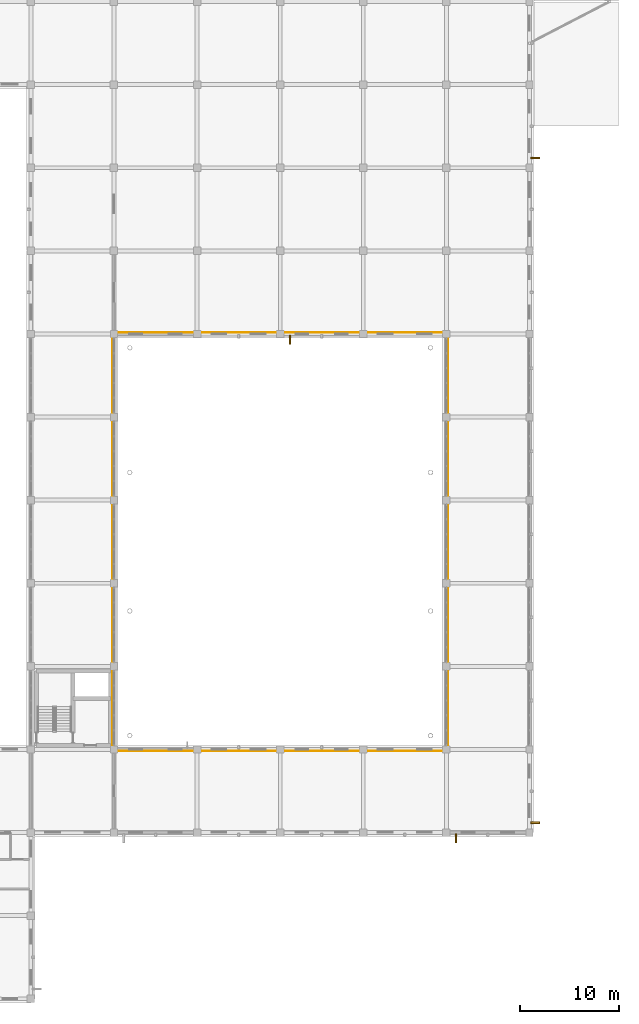
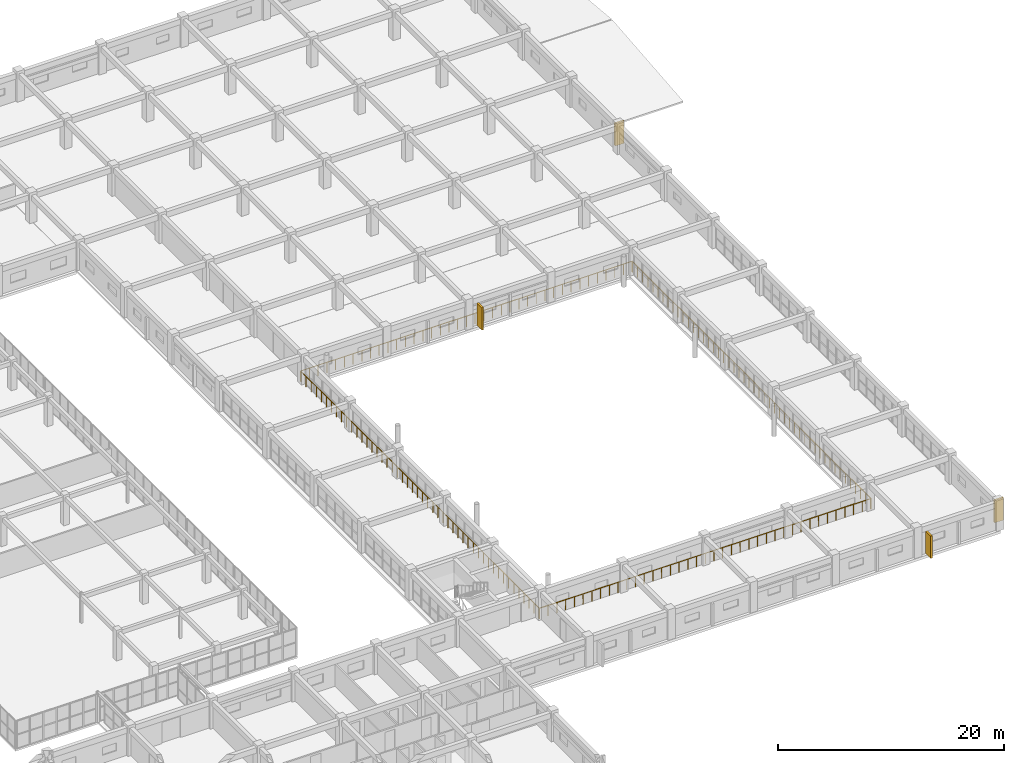
# One storey, part 199 of 200: 4 railings, 4 shading devices.
"""IFC4 building model written with IfcOpenShell, lengths in metres."""

import ifcopenshell
import ifcopenshell.guid

model = None  # the IFC model being written
_history = None  # IfcOwnerHistory: only IFC2X3 demands one
_inside = {}  # id of a spatial element -> (the spatial element, [elements in it])
_under = {}  # id of a project, library or spatial element -> (it, [spatial elements below it])
_declared = {}  # id of a project -> (the project, [libraries it declares])
_typed = {}  # id of a type object -> (the type object, [elements of that type])
_made_of = {}  # id of a material, layer set ... -> (it, [elements and type objects made of it])


def new_model(schema):
    """Start an empty IFC model of exactly this schema.

    Asked for "IFC4X3", IfcOpenShell would pick the latest addendum, in which some entities
    have other attributes; the version numbers below select the first issue.
    IFC2X3 requires an IfcOwnerHistory on every rooted entity: one is made here for all.
    """
    global model, _history
    if schema == "IFC4X3":
        model = ifcopenshell.file(schema_version=(4, 3, 0, 0))
    else:
        model = ifcopenshell.file(schema=schema)
    _inside.clear()
    _under.clear()
    _declared.clear()
    _typed.clear()
    _made_of.clear()
    _history = None
    if model.schema == "IFC2X3":
        org = make("IfcOrganization", Name="unknown")
        user = make(
            "IfcPersonAndOrganization",
            ThePerson=make("IfcPerson", FamilyName="unknown"),
            TheOrganization=org,
        )
        app = make(
            "IfcApplication",
            ApplicationDeveloper=org,
            Version="unknown",
            ApplicationFullName="unknown",
            ApplicationIdentifier="unknown",
        )
        _history = make(
            "IfcOwnerHistory",
            OwningUser=user,
            OwningApplication=app,
            ChangeAction="ADDED",
            CreationDate=0,
        )
    return model


def make(cls, **values):
    """One entity of the class cls with the attributes given. An attribute that is None is left unset."""
    return model.create_entity(
        cls, **{name: value for name, value in values.items() if value is not None}
    )


def rooted(cls, **values):
    """An entity with a GlobalId (a new one), such as an element, a storey or a relation."""
    return make(cls, GlobalId=ifcopenshell.guid.new(), OwnerHistory=_history, **values)


def si_unit(unit_type, name, prefix=None):
    """IfcSIUnit, for example si_unit("LENGTHUNIT", "METRE", prefix="MILLI")."""
    return make("IfcSIUnit", UnitType=unit_type, Prefix=prefix, Name=name)


def assignment(units):
    """IfcUnitAssignment: the units of a project."""
    return None if units is None else make("IfcUnitAssignment", Units=units)


def point(xyz):
    """IfcCartesianPoint."""
    return None if xyz is None else make("IfcCartesianPoint", Coordinates=xyz)


def direction(xyz):
    """IfcDirection."""
    return None if xyz is None else make("IfcDirection", DirectionRatios=xyz)


def frame(location, z_axis=None, x_axis=None):
    """IfcAxis2Placement3D, a coordinate frame: its origin and axes. An axis left out is left unset."""
    return make(
        "IfcAxis2Placement3D",
        Location=point(location),
        Axis=direction(z_axis),
        RefDirection=direction(x_axis),
    )


def frame_2d(location, x_axis=None):
    """IfcAxis2Placement2D, a coordinate frame in the plane: its origin and x axis."""
    return make(
        "IfcAxis2Placement2D", Location=point(location), RefDirection=direction(x_axis)
    )


def origin():
    """The frame at (0, 0, 0) with its axes left unset."""
    return frame((0.0, 0.0, 0.0))


def origin_2d():
    """The frame at (0, 0) in the plane with its x axis left unset."""
    return frame_2d((0.0, 0.0))


def place(relative_to, where):
    """IfcLocalPlacement: puts the frame where relative to a parent placement (None: the world)."""
    return make(
        "IfcLocalPlacement", PlacementRelTo=relative_to, RelativePlacement=where
    )


def context(
    kind, dimensions, precision=None, world=None, true_north=None, identifier=None
):
    """IfcGeometricRepresentationContext, for example the 3D "Model" context."""
    return make(
        "IfcGeometricRepresentationContext",
        ContextIdentifier=identifier,
        ContextType=kind,
        CoordinateSpaceDimension=dimensions,
        Precision=precision,
        WorldCoordinateSystem=world,
        TrueNorth=true_north,
    )


def subcontext(parent, identifier, kind, view, scale=None):
    """IfcGeometricRepresentationSubContext, for example "Body" below "Model"."""
    return make(
        "IfcGeometricRepresentationSubContext",
        ContextIdentifier=identifier,
        ContextType=kind,
        ParentContext=parent,
        TargetScale=scale,
        TargetView=view,
    )


def project(units=None, contexts=None):
    """IfcProject with its units and contexts."""
    return rooted(
        "IfcProject",
        Name="project",
        RepresentationContexts=contexts,
        UnitsInContext=assignment(units),
    )


def spatial(cls, under=None, at=None, **own):
    """A site, building, storey or space (cls), placed at a placement, below another one or the project."""
    s = rooted(cls, ObjectPlacement=at, **own)
    if under is not None:
        _under.setdefault(under.id(), (under, []))[1].append(s)
    return s


def profile(cls, at=None, kind="AREA", **sizes):
    """A parametric profile (cls). Its sizes go by their IFC names, for example OverallWidth=200.0."""
    return make(cls, ProfileType=kind, Position=at, **sizes)


def rectangle(**sizes):
    """IfcRectangleProfileDef."""
    return profile("IfcRectangleProfileDef", **sizes)


def circle(**sizes):
    """IfcCircleProfileDef."""
    return profile("IfcCircleProfileDef", **sizes)


def extrude(swept, where, along, depth):
    """IfcExtrudedAreaSolid: the profile swept, set in the frame where, extruded along a direction by depth."""
    return make(
        "IfcExtrudedAreaSolid",
        SweptArea=swept,
        Position=where,
        ExtrudedDirection=direction(along),
        Depth=depth,
    )


def shape(context_of_items, identifier, shape_type, items):
    """IfcShapeRepresentation: the items that make up one representation, for example the "Body"."""
    return make(
        "IfcShapeRepresentation",
        ContextOfItems=context_of_items,
        RepresentationIdentifier=identifier,
        RepresentationType=shape_type,
        Items=items,
    )


def material(Name=None, Category=None):
    """IfcMaterial."""
    return make("IfcMaterial", Name=Name, Category=Category)


def made_of(thing, what):
    """Note that an element or type object is made of a material, layer set ...; save() writes the relation."""
    if what is not None:
        _made_of.setdefault(what.id(), (what, []))[1].append(thing)
    return thing


def type_object(cls, material=None, **own):
    """A type object (cls), such as IfcWallType, which elements share."""
    return made_of(rooted(cls, **own), material)


def element(
    cls,
    number,
    at=None,
    inside=None,
    cuts=None,
    type_object=None,
    material=None,
    context=None,
    identifier="Body",
    shape_type=None,
    held_by="IfcProductDefinitionShape",
    body=None,
    shapes=None,
    **own,
):
    """One element of the class cls, such as IfcWall. Its Tag is "e" and its number.

    at: its placement. inside: the storey or other place that contains it. cuts: it is an
    opening in that element (IfcRelVoidsElement). A single representation is given by context,
    identifier, shape_type and body (its items); several are given by shapes. held_by: the class
    of the entity that holds the representations. save() writes the other relations.
    """
    e = rooted(cls, Tag="e%d" % number, ObjectPlacement=at, **own)
    if body is not None:
        shapes = [shape(context, identifier, shape_type, body)]
    if shapes is not None:
        e.Representation = make(held_by, Representations=shapes)
    if inside is not None:
        _inside.setdefault(inside.id(), (inside, []))[1].append(e)
    if cuts is not None:
        rooted(
            "IfcRelVoidsElement", RelatingBuildingElement=cuts, RelatedOpeningElement=e
        )
    if type_object is not None:
        _typed.setdefault(type_object.id(), (type_object, []))[1].append(e)
    return made_of(e, material)


def aggregate(whole, parts):
    """IfcRelAggregates: a whole, such as a stair, and the parts it consists of."""
    return rooted("IfcRelAggregates", RelatingObject=whole, RelatedObjects=parts)


def save(model, path):
    """Write the relations noted so far, then the file.

    IfcRelAggregates (storeys below a building ...), IfcRelContainedInSpatialStructure (elements
    in a storey), IfcRelDefinesByType, IfcRelAssociatesMaterial and IfcRelDeclares: one each for
    every whole, place, type object, material and project.
    """
    for whole, parts in _under.values():
        aggregate(whole, parts)
    for where, things in _inside.values():
        rooted(
            "IfcRelContainedInSpatialStructure",
            RelatedElements=things,
            RelatingStructure=where,
        )
    for kind, things in _typed.values():
        rooted("IfcRelDefinesByType", RelatedObjects=things, RelatingType=kind)
    for what, things in _made_of.values():
        rooted("IfcRelAssociatesMaterial", RelatedObjects=things, RelatingMaterial=what)
    for by, libraries in _declared.values():
        rooted("IfcRelDeclares", RelatingContext=by, RelatedDefinitions=libraries)
    model.write(path)


model = new_model("IFC4")

# Units and contexts
model_context = context("Model", 3, precision=1e-05, world=origin(), true_north=direction((0.0, 1.0)))
body_context = subcontext(model_context, "Body", "Model", "MODEL_VIEW")
ifc_project = project(units=[si_unit("LENGTHUNIT", "METRE"), si_unit("AREAUNIT", "SQUARE_METRE"), si_unit("VOLUMEUNIT", "CUBIC_METRE"), si_unit("PLANEANGLEUNIT", "RADIAN"), si_unit("MASSUNIT", "GRAM", prefix="KILO")], contexts=[model_context])

# Site, building, storey
site_placement = place(None, origin())
site = spatial("IfcSite", under=ifc_project, at=site_placement, CompositionType="ELEMENT")
building_placement = place(site_placement, origin())
building = spatial("IfcBuilding", under=site, at=building_placement, Name="Trelvath General Hospital", CompositionType="ELEMENT")
storey_placement = place(building_placement, frame((0.0, 0.0, 4.800048828125)))
storey = spatial("IfcBuildingStorey", under=building, at=storey_placement, Name="L01", CompositionType="ELEMENT", Elevation=4.800048828125)

# Shading devices
ifc_material_1 = material(Name="Precast concrete C40/50", Category="concrete")
shading_device_type = type_object("IfcShadingDeviceType", Name="BriseSoleil PrecastFin900", PredefinedType="JALOUSIE", material=ifc_material_1)
for number, where, z_axis, x_axis, name in (
    (1, (160.582763671875, 66.610107421875, 0.0), (0.0, 0.0, 1.0), (0.0, -1.0, 0.0), "Solar Brise-Soleil Screen L01-30"),
    (2, (177.3828125, 16.2099609375, 0.0), (0.0, 0.0, 1.0), (0.0, -1.0, 0.0), "Solar Brise-Soleil Screen L01-31"),
    (3, (185.389892578125, 17.78271484375, 0.0), (0.0, 0.0, 1.0), (1.0, 0.0, 0.0), "Solar Brise-Soleil Screen L01-32"),
    (4, (185.389892578125, 84.98291015625, 0.0), (0.0, 0.0, 1.0), (1.0, 0.0, 0.0), "Solar Brise-Soleil Screen L01-33"),
):
    element("IfcShadingDevice", number, at=place(storey_placement, frame(where, z_axis=z_axis, x_axis=x_axis)), inside=storey, type_object=shading_device_type, Name=name, PredefinedType="JALOUSIE", context=body_context, shape_type="SweptSolid", body=[
        extrude(rectangle(XDim=0.89990234375, YDim=0.179931640625, at=origin_2d()), origin(), (0.0, 0.0, 1.0), 2.419921875),
    ])

# Railings
ifc_material_2 = material(Name="Architectural painted steel", Category="steel")
railing_type = type_object("IfcRailingType", Name="Guardrail Terrace1150", PredefinedType="GUARDRAIL", material=ifc_material_2)
railing_1_placement = place(storey_placement, frame((142.64990234375, 25.050048828125, 0.0)))
element("IfcRailing", 5, at=railing_1_placement, inside=storey, type_object=railing_type, Name="Hall Void Guard S L01 403", PredefinedType="GUARDRAIL", context=body_context, shape_type="SweptSolid", body=[
    extrude(circle(Radius=0.02392578125, at=origin_2d()), frame((0.0, 0.0, 1.1259765625), z_axis=(1.0, 0.0, 0.0), x_axis=(0.0, 1.0, 0.0)), (0.0, 0.0, 1.0), 33.900146484375),
    extrude(circle(Radius=0.02099609375, at=origin_2d()), origin(), (0.0, 0.0, 1.0), 1.099853515625),
    extrude(circle(Radius=0.02099609375, at=origin_2d()), frame((0.89208984375, 0.0, 0.0)), (0.0, 0.0, 1.0), 1.099853515625),
    extrude(circle(Radius=0.02099609375, at=origin_2d()), frame((1.7841796875, 0.0, 0.0)), (0.0, 0.0, 1.0), 1.099853515625),
    extrude(circle(Radius=0.02099609375, at=origin_2d()), frame((2.67626953125, 0.0, 0.0)), (0.0, 0.0, 1.0), 1.099853515625),
    extrude(circle(Radius=0.02099609375, at=origin_2d()), frame((3.568359375, 0.0, 0.0)), (0.0, 0.0, 1.0), 1.099853515625),
    extrude(circle(Radius=0.02099609375, at=origin_2d()), frame((4.46044921875, 0.0, 0.0)), (0.0, 0.0, 1.0), 1.099853515625),
    extrude(circle(Radius=0.02099609375, at=origin_2d()), frame((5.3525390625, 0.0, 0.0)), (0.0, 0.0, 1.0), 1.099853515625),
    extrude(circle(Radius=0.02099609375, at=origin_2d()), frame((6.244873046875, 0.0, 0.0)), (0.0, 0.0, 1.0), 1.099853515625),
    extrude(circle(Radius=0.02099609375, at=origin_2d()), frame((7.136962890625, 0.0, 0.0)), (0.0, 0.0, 1.0), 1.099853515625),
    extrude(circle(Radius=0.02099609375, at=origin_2d()), frame((8.029052734375, 0.0, 0.0)), (0.0, 0.0, 1.0), 1.099853515625),
    extrude(circle(Radius=0.02099609375, at=origin_2d()), frame((8.921142578125, 0.0, 0.0)), (0.0, 0.0, 1.0), 1.099853515625),
    extrude(circle(Radius=0.02099609375, at=origin_2d()), frame((9.813232421875, 0.0, 0.0)), (0.0, 0.0, 1.0), 1.099853515625),
    extrude(circle(Radius=0.02099609375, at=origin_2d()), frame((10.705322265625, 0.0, 0.0)), (0.0, 0.0, 1.0), 1.099853515625),
    extrude(circle(Radius=0.02099609375, at=origin_2d()), frame((11.597412109375, 0.0, 0.0)), (0.0, 0.0, 1.0), 1.099853515625),
    extrude(circle(Radius=0.02099609375, at=origin_2d()), frame((12.489501953125, 0.0, 0.0)), (0.0, 0.0, 1.0), 1.099853515625),
    extrude(circle(Radius=0.02099609375, at=origin_2d()), frame((13.381591796875, 0.0, 0.0)), (0.0, 0.0, 1.0), 1.099853515625),
    extrude(circle(Radius=0.02099609375, at=origin_2d()), frame((14.273681640625, 0.0, 0.0)), (0.0, 0.0, 1.0), 1.099853515625),
    extrude(circle(Radius=0.02099609375, at=origin_2d()), frame((15.165771484375, 0.0, 0.0)), (0.0, 0.0, 1.0), 1.099853515625),
    extrude(circle(Radius=0.02099609375, at=origin_2d()), frame((16.057861328125, 0.0, 0.0)), (0.0, 0.0, 1.0), 1.099853515625),
    extrude(circle(Radius=0.02099609375, at=origin_2d()), frame((16.9501953125, 0.0, 0.0)), (0.0, 0.0, 1.0), 1.099853515625),
    extrude(circle(Radius=0.02099609375, at=origin_2d()), frame((17.84228515625, 0.0, 0.0)), (0.0, 0.0, 1.0), 1.099853515625),
    extrude(circle(Radius=0.02099609375, at=origin_2d()), frame((18.734375, 0.0, 0.0)), (0.0, 0.0, 1.0), 1.099853515625),
    extrude(circle(Radius=0.02099609375, at=origin_2d()), frame((19.62646484375, 0.0, 0.0)), (0.0, 0.0, 1.0), 1.099853515625),
    extrude(circle(Radius=0.02099609375, at=origin_2d()), frame((20.5185546875, 0.0, 0.0)), (0.0, 0.0, 1.0), 1.099853515625),
    extrude(circle(Radius=0.02099609375, at=origin_2d()), frame((21.41064453125, 0.0, 0.0)), (0.0, 0.0, 1.0), 1.099853515625),
    extrude(circle(Radius=0.02099609375, at=origin_2d()), frame((22.302734375, 0.0, 0.0)), (0.0, 0.0, 1.0), 1.099853515625),
    extrude(circle(Radius=0.02099609375, at=origin_2d()), frame((23.19482421875, 0.0, 0.0)), (0.0, 0.0, 1.0), 1.099853515625),
    extrude(circle(Radius=0.02099609375, at=origin_2d()), frame((24.0869140625, 0.0, 0.0)), (0.0, 0.0, 1.0), 1.099853515625),
    extrude(circle(Radius=0.02099609375, at=origin_2d()), frame((24.97900390625, 0.0, 0.0)), (0.0, 0.0, 1.0), 1.099853515625),
    extrude(circle(Radius=0.02099609375, at=origin_2d()), frame((25.87109375, 0.0, 0.0)), (0.0, 0.0, 1.0), 1.099853515625),
    extrude(circle(Radius=0.02099609375, at=origin_2d()), frame((26.76318359375, 0.0, 0.0)), (0.0, 0.0, 1.0), 1.099853515625),
    extrude(circle(Radius=0.02099609375, at=origin_2d()), frame((27.6552734375, 0.0, 0.0)), (0.0, 0.0, 1.0), 1.099853515625),
    extrude(circle(Radius=0.02099609375, at=origin_2d()), frame((28.547607421875, 0.0, 0.0)), (0.0, 0.0, 1.0), 1.099853515625),
    extrude(circle(Radius=0.02099609375, at=origin_2d()), frame((29.439697265625, 0.0, 0.0)), (0.0, 0.0, 1.0), 1.099853515625),
    extrude(circle(Radius=0.02099609375, at=origin_2d()), frame((30.331787109375, 0.0, 0.0)), (0.0, 0.0, 1.0), 1.099853515625),
    extrude(circle(Radius=0.02099609375, at=origin_2d()), frame((31.223876953125, 0.0, 0.0)), (0.0, 0.0, 1.0), 1.099853515625),
    extrude(circle(Radius=0.02099609375, at=origin_2d()), frame((32.115966796875, 0.0, 0.0)), (0.0, 0.0, 1.0), 1.099853515625),
    extrude(circle(Radius=0.02099609375, at=origin_2d()), frame((33.008056640625, 0.0, 0.0)), (0.0, 0.0, 1.0), 1.099853515625),
    extrude(circle(Radius=0.02099609375, at=origin_2d()), frame((33.900146484375, 0.0, 0.0)), (0.0, 0.0, 1.0), 1.099853515625),
])
railing_2_placement = place(storey_placement, frame((176.550048828125, 25.1201171875, 0.0)))
element("IfcRailing", 6, at=railing_2_placement, inside=storey, type_object=railing_type, Name="Hall Void Guard E L01 404", PredefinedType="GUARDRAIL", context=body_context, shape_type="SweptSolid", body=[
    extrude(circle(Radius=0.02392578125, at=origin_2d()), frame((0.0, 0.0, 1.1259765625), z_axis=(0.0, 1.0, 0.0), x_axis=(-1.0, 0.0, 0.0)), (0.0, 0.0, 1.0), 42.159912109375),
    extrude(circle(Radius=0.02099609375, at=origin_2d()), origin(), (0.0, 0.0, 1.0), 1.099853515625),
    extrude(circle(Radius=0.02099609375, at=origin_2d()), frame((0.0, 0.89697265625, 0.0)), (0.0, 0.0, 1.0), 1.099853515625),
    extrude(circle(Radius=0.02099609375, at=origin_2d()), frame((0.0, 1.7939453125, 0.0)), (0.0, 0.0, 1.0), 1.099853515625),
    extrude(circle(Radius=0.02099609375, at=origin_2d()), frame((0.0, 2.691162109375, 0.0)), (0.0, 0.0, 1.0), 1.099853515625),
    extrude(circle(Radius=0.02099609375, at=origin_2d()), frame((0.0, 3.588134765625, 0.0)), (0.0, 0.0, 1.0), 1.099853515625),
    extrude(circle(Radius=0.02099609375, at=origin_2d()), frame((0.0, 4.485107421875, 0.0)), (0.0, 0.0, 1.0), 1.099853515625),
    extrude(circle(Radius=0.02099609375, at=origin_2d()), frame((0.0, 5.382080078125, 0.0)), (0.0, 0.0, 1.0), 1.099853515625),
    extrude(circle(Radius=0.02099609375, at=origin_2d()), frame((0.0, 6.279052734375, 0.0)), (0.0, 0.0, 1.0), 1.099853515625),
    extrude(circle(Radius=0.02099609375, at=origin_2d()), frame((0.0, 7.17626953125, 0.0)), (0.0, 0.0, 1.0), 1.099853515625),
    extrude(circle(Radius=0.02099609375, at=origin_2d()), frame((0.0, 8.0732421875, 0.0)), (0.0, 0.0, 1.0), 1.099853515625),
    extrude(circle(Radius=0.02099609375, at=origin_2d()), frame((0.0, 8.97021484375, 0.0)), (0.0, 0.0, 1.0), 1.099853515625),
    extrude(circle(Radius=0.02099609375, at=origin_2d()), frame((0.0, 9.8671875, 0.0)), (0.0, 0.0, 1.0), 1.099853515625),
    extrude(circle(Radius=0.02099609375, at=origin_2d()), frame((0.0, 10.76416015625, 0.0)), (0.0, 0.0, 1.0), 1.099853515625),
    extrude(circle(Radius=0.02099609375, at=origin_2d()), frame((0.0, 11.6611328125, 0.0)), (0.0, 0.0, 1.0), 1.099853515625),
    extrude(circle(Radius=0.02099609375, at=origin_2d()), frame((0.0, 12.558349609375, 0.0)), (0.0, 0.0, 1.0), 1.099853515625),
    extrude(circle(Radius=0.02099609375, at=origin_2d()), frame((0.0, 13.455322265625, 0.0)), (0.0, 0.0, 1.0), 1.099853515625),
    extrude(circle(Radius=0.02099609375, at=origin_2d()), frame((0.0, 14.352294921875, 0.0)), (0.0, 0.0, 1.0), 1.099853515625),
    extrude(circle(Radius=0.02099609375, at=origin_2d()), frame((0.0, 15.249267578125, 0.0)), (0.0, 0.0, 1.0), 1.099853515625),
    extrude(circle(Radius=0.02099609375, at=origin_2d()), frame((0.0, 16.146240234375, 0.0)), (0.0, 0.0, 1.0), 1.099853515625),
    extrude(circle(Radius=0.02099609375, at=origin_2d()), frame((0.0, 17.04345703125, 0.0)), (0.0, 0.0, 1.0), 1.099853515625),
    extrude(circle(Radius=0.02099609375, at=origin_2d()), frame((0.0, 17.9404296875, 0.0)), (0.0, 0.0, 1.0), 1.099853515625),
    extrude(circle(Radius=0.02099609375, at=origin_2d()), frame((0.0, 18.83740234375, 0.0)), (0.0, 0.0, 1.0), 1.099853515625),
    extrude(circle(Radius=0.02099609375, at=origin_2d()), frame((0.0, 19.734375, 0.0)), (0.0, 0.0, 1.0), 1.099853515625),
    extrude(circle(Radius=0.02099609375, at=origin_2d()), frame((0.0, 20.63134765625, 0.0)), (0.0, 0.0, 1.0), 1.099853515625),
    extrude(circle(Radius=0.02099609375, at=origin_2d()), frame((0.0, 21.528564453125, 0.0)), (0.0, 0.0, 1.0), 1.099853515625),
    extrude(circle(Radius=0.02099609375, at=origin_2d()), frame((0.0, 22.425537109375, 0.0)), (0.0, 0.0, 1.0), 1.099853515625),
    extrude(circle(Radius=0.02099609375, at=origin_2d()), frame((0.0, 23.322509765625, 0.0)), (0.0, 0.0, 1.0), 1.099853515625),
    extrude(circle(Radius=0.02099609375, at=origin_2d()), frame((0.0, 24.219482421875, 0.0)), (0.0, 0.0, 1.0), 1.099853515625),
    extrude(circle(Radius=0.02099609375, at=origin_2d()), frame((0.0, 25.116455078125, 0.0)), (0.0, 0.0, 1.0), 1.099853515625),
    extrude(circle(Radius=0.02099609375, at=origin_2d()), frame((0.0, 26.013671875, 0.0)), (0.0, 0.0, 1.0), 1.099853515625),
    extrude(circle(Radius=0.02099609375, at=origin_2d()), frame((0.0, 26.91064453125, 0.0)), (0.0, 0.0, 1.0), 1.099853515625),
    extrude(circle(Radius=0.02099609375, at=origin_2d()), frame((0.0, 27.8076171875, 0.0)), (0.0, 0.0, 1.0), 1.099853515625),
    extrude(circle(Radius=0.02099609375, at=origin_2d()), frame((0.0, 28.70458984375, 0.0)), (0.0, 0.0, 1.0), 1.099853515625),
    extrude(circle(Radius=0.02099609375, at=origin_2d()), frame((0.0, 29.6015625, 0.0)), (0.0, 0.0, 1.0), 1.099853515625),
    extrude(circle(Radius=0.02099609375, at=origin_2d()), frame((0.0, 30.498779296875, 0.0)), (0.0, 0.0, 1.0), 1.099853515625),
    extrude(circle(Radius=0.02099609375, at=origin_2d()), frame((0.0, 31.395751953125, 0.0)), (0.0, 0.0, 1.0), 1.099853515625),
    extrude(circle(Radius=0.02099609375, at=origin_2d()), frame((0.0, 32.292724609375, 0.0)), (0.0, 0.0, 1.0), 1.099853515625),
    extrude(circle(Radius=0.02099609375, at=origin_2d()), frame((0.0, 33.189697265625, 0.0)), (0.0, 0.0, 1.0), 1.099853515625),
    extrude(circle(Radius=0.02099609375, at=origin_2d()), frame((0.0, 34.086669921875, 0.0)), (0.0, 0.0, 1.0), 1.099853515625),
    extrude(circle(Radius=0.02099609375, at=origin_2d()), frame((0.0, 34.983642578125, 0.0)), (0.0, 0.0, 1.0), 1.099853515625),
    extrude(circle(Radius=0.02099609375, at=origin_2d()), frame((0.0, 35.880859375, 0.0)), (0.0, 0.0, 1.0), 1.099853515625),
    extrude(circle(Radius=0.02099609375, at=origin_2d()), frame((0.0, 36.77783203125, 0.0)), (0.0, 0.0, 1.0), 1.099853515625),
    extrude(circle(Radius=0.02099609375, at=origin_2d()), frame((0.0, 37.6748046875, 0.0)), (0.0, 0.0, 1.0), 1.099853515625),
    extrude(circle(Radius=0.02099609375, at=origin_2d()), frame((0.0, 38.57177734375, 0.0)), (0.0, 0.0, 1.0), 1.099853515625),
    extrude(circle(Radius=0.02099609375, at=origin_2d()), frame((0.0, 39.46875, 0.0)), (0.0, 0.0, 1.0), 1.099853515625),
    extrude(circle(Radius=0.02099609375, at=origin_2d()), frame((0.0, 40.365966796875, 0.0)), (0.0, 0.0, 1.0), 1.099853515625),
    extrude(circle(Radius=0.02099609375, at=origin_2d()), frame((0.0, 41.262939453125, 0.0)), (0.0, 0.0, 1.0), 1.099853515625),
    extrude(circle(Radius=0.02099609375, at=origin_2d()), frame((0.0, 42.159912109375, 0.0)), (0.0, 0.0, 1.0), 1.099853515625),
])
railing_3_placement = place(storey_placement, frame((142.64990234375, 67.35009765625, 0.0)))
element("IfcRailing", 7, at=railing_3_placement, inside=storey, type_object=railing_type, Name="Hall Void Guard N L01 405", PredefinedType="GUARDRAIL", context=body_context, shape_type="SweptSolid", body=[
    extrude(circle(Radius=0.02392578125, at=origin_2d()), frame((0.0, 0.0, 1.1259765625), z_axis=(1.0, 0.0, 0.0), x_axis=(0.0, 1.0, 0.0)), (0.0, 0.0, 1.0), 33.900146484375),
    extrude(circle(Radius=0.02099609375, at=origin_2d()), origin(), (0.0, 0.0, 1.0), 1.099853515625),
    extrude(circle(Radius=0.02099609375, at=origin_2d()), frame((0.89208984375, 0.0, 0.0)), (0.0, 0.0, 1.0), 1.099853515625),
    extrude(circle(Radius=0.02099609375, at=origin_2d()), frame((1.7841796875, 0.0, 0.0)), (0.0, 0.0, 1.0), 1.099853515625),
    extrude(circle(Radius=0.02099609375, at=origin_2d()), frame((2.67626953125, 0.0, 0.0)), (0.0, 0.0, 1.0), 1.099853515625),
    extrude(circle(Radius=0.02099609375, at=origin_2d()), frame((3.568359375, 0.0, 0.0)), (0.0, 0.0, 1.0), 1.099853515625),
    extrude(circle(Radius=0.02099609375, at=origin_2d()), frame((4.46044921875, 0.0, 0.0)), (0.0, 0.0, 1.0), 1.099853515625),
    extrude(circle(Radius=0.02099609375, at=origin_2d()), frame((5.3525390625, 0.0, 0.0)), (0.0, 0.0, 1.0), 1.099853515625),
    extrude(circle(Radius=0.02099609375, at=origin_2d()), frame((6.244873046875, 0.0, 0.0)), (0.0, 0.0, 1.0), 1.099853515625),
    extrude(circle(Radius=0.02099609375, at=origin_2d()), frame((7.136962890625, 0.0, 0.0)), (0.0, 0.0, 1.0), 1.099853515625),
    extrude(circle(Radius=0.02099609375, at=origin_2d()), frame((8.029052734375, 0.0, 0.0)), (0.0, 0.0, 1.0), 1.099853515625),
    extrude(circle(Radius=0.02099609375, at=origin_2d()), frame((8.921142578125, 0.0, 0.0)), (0.0, 0.0, 1.0), 1.099853515625),
    extrude(circle(Radius=0.02099609375, at=origin_2d()), frame((9.813232421875, 0.0, 0.0)), (0.0, 0.0, 1.0), 1.099853515625),
    extrude(circle(Radius=0.02099609375, at=origin_2d()), frame((10.705322265625, 0.0, 0.0)), (0.0, 0.0, 1.0), 1.099853515625),
    extrude(circle(Radius=0.02099609375, at=origin_2d()), frame((11.597412109375, 0.0, 0.0)), (0.0, 0.0, 1.0), 1.099853515625),
    extrude(circle(Radius=0.02099609375, at=origin_2d()), frame((12.489501953125, 0.0, 0.0)), (0.0, 0.0, 1.0), 1.099853515625),
    extrude(circle(Radius=0.02099609375, at=origin_2d()), frame((13.381591796875, 0.0, 0.0)), (0.0, 0.0, 1.0), 1.099853515625),
    extrude(circle(Radius=0.02099609375, at=origin_2d()), frame((14.273681640625, 0.0, 0.0)), (0.0, 0.0, 1.0), 1.099853515625),
    extrude(circle(Radius=0.02099609375, at=origin_2d()), frame((15.165771484375, 0.0, 0.0)), (0.0, 0.0, 1.0), 1.099853515625),
    extrude(circle(Radius=0.02099609375, at=origin_2d()), frame((16.057861328125, 0.0, 0.0)), (0.0, 0.0, 1.0), 1.099853515625),
    extrude(circle(Radius=0.02099609375, at=origin_2d()), frame((16.9501953125, 0.0, 0.0)), (0.0, 0.0, 1.0), 1.099853515625),
    extrude(circle(Radius=0.02099609375, at=origin_2d()), frame((17.84228515625, 0.0, 0.0)), (0.0, 0.0, 1.0), 1.099853515625),
    extrude(circle(Radius=0.02099609375, at=origin_2d()), frame((18.734375, 0.0, 0.0)), (0.0, 0.0, 1.0), 1.099853515625),
    extrude(circle(Radius=0.02099609375, at=origin_2d()), frame((19.62646484375, 0.0, 0.0)), (0.0, 0.0, 1.0), 1.099853515625),
    extrude(circle(Radius=0.02099609375, at=origin_2d()), frame((20.5185546875, 0.0, 0.0)), (0.0, 0.0, 1.0), 1.099853515625),
    extrude(circle(Radius=0.02099609375, at=origin_2d()), frame((21.41064453125, 0.0, 0.0)), (0.0, 0.0, 1.0), 1.099853515625),
    extrude(circle(Radius=0.02099609375, at=origin_2d()), frame((22.302734375, 0.0, 0.0)), (0.0, 0.0, 1.0), 1.099853515625),
    extrude(circle(Radius=0.02099609375, at=origin_2d()), frame((23.19482421875, 0.0, 0.0)), (0.0, 0.0, 1.0), 1.099853515625),
    extrude(circle(Radius=0.02099609375, at=origin_2d()), frame((24.0869140625, 0.0, 0.0)), (0.0, 0.0, 1.0), 1.099853515625),
    extrude(circle(Radius=0.02099609375, at=origin_2d()), frame((24.97900390625, 0.0, 0.0)), (0.0, 0.0, 1.0), 1.099853515625),
    extrude(circle(Radius=0.02099609375, at=origin_2d()), frame((25.87109375, 0.0, 0.0)), (0.0, 0.0, 1.0), 1.099853515625),
    extrude(circle(Radius=0.02099609375, at=origin_2d()), frame((26.76318359375, 0.0, 0.0)), (0.0, 0.0, 1.0), 1.099853515625),
    extrude(circle(Radius=0.02099609375, at=origin_2d()), frame((27.6552734375, 0.0, 0.0)), (0.0, 0.0, 1.0), 1.099853515625),
    extrude(circle(Radius=0.02099609375, at=origin_2d()), frame((28.547607421875, 0.0, 0.0)), (0.0, 0.0, 1.0), 1.099853515625),
    extrude(circle(Radius=0.02099609375, at=origin_2d()), frame((29.439697265625, 0.0, 0.0)), (0.0, 0.0, 1.0), 1.099853515625),
    extrude(circle(Radius=0.02099609375, at=origin_2d()), frame((30.331787109375, 0.0, 0.0)), (0.0, 0.0, 1.0), 1.099853515625),
    extrude(circle(Radius=0.02099609375, at=origin_2d()), frame((31.223876953125, 0.0, 0.0)), (0.0, 0.0, 1.0), 1.099853515625),
    extrude(circle(Radius=0.02099609375, at=origin_2d()), frame((32.115966796875, 0.0, 0.0)), (0.0, 0.0, 1.0), 1.099853515625),
    extrude(circle(Radius=0.02099609375, at=origin_2d()), frame((33.008056640625, 0.0, 0.0)), (0.0, 0.0, 1.0), 1.099853515625),
    extrude(circle(Radius=0.02099609375, at=origin_2d()), frame((33.900146484375, 0.0, 0.0)), (0.0, 0.0, 1.0), 1.099853515625),
])
railing_4_placement = place(storey_placement, frame((142.64990234375, 25.1201171875, 0.0)))
element("IfcRailing", 8, at=railing_4_placement, inside=storey, type_object=railing_type, Name="Hall Void Guard W L01 406", PredefinedType="GUARDRAIL", context=body_context, shape_type="SweptSolid", body=[
    extrude(circle(Radius=0.02392578125, at=origin_2d()), frame((0.0, 0.0, 1.1259765625), z_axis=(0.0, 1.0, 0.0), x_axis=(-1.0, 0.0, 0.0)), (0.0, 0.0, 1.0), 42.159912109375),
    extrude(circle(Radius=0.02099609375, at=origin_2d()), origin(), (0.0, 0.0, 1.0), 1.099853515625),
    extrude(circle(Radius=0.02099609375, at=origin_2d()), frame((0.0, 0.89697265625, 0.0)), (0.0, 0.0, 1.0), 1.099853515625),
    extrude(circle(Radius=0.02099609375, at=origin_2d()), frame((0.0, 1.7939453125, 0.0)), (0.0, 0.0, 1.0), 1.099853515625),
    extrude(circle(Radius=0.02099609375, at=origin_2d()), frame((0.0, 2.691162109375, 0.0)), (0.0, 0.0, 1.0), 1.099853515625),
    extrude(circle(Radius=0.02099609375, at=origin_2d()), frame((0.0, 3.588134765625, 0.0)), (0.0, 0.0, 1.0), 1.099853515625),
    extrude(circle(Radius=0.02099609375, at=origin_2d()), frame((0.0, 4.485107421875, 0.0)), (0.0, 0.0, 1.0), 1.099853515625),
    extrude(circle(Radius=0.02099609375, at=origin_2d()), frame((0.0, 5.382080078125, 0.0)), (0.0, 0.0, 1.0), 1.099853515625),
    extrude(circle(Radius=0.02099609375, at=origin_2d()), frame((0.0, 6.279052734375, 0.0)), (0.0, 0.0, 1.0), 1.099853515625),
    extrude(circle(Radius=0.02099609375, at=origin_2d()), frame((0.0, 7.17626953125, 0.0)), (0.0, 0.0, 1.0), 1.099853515625),
    extrude(circle(Radius=0.02099609375, at=origin_2d()), frame((0.0, 8.0732421875, 0.0)), (0.0, 0.0, 1.0), 1.099853515625),
    extrude(circle(Radius=0.02099609375, at=origin_2d()), frame((0.0, 8.97021484375, 0.0)), (0.0, 0.0, 1.0), 1.099853515625),
    extrude(circle(Radius=0.02099609375, at=origin_2d()), frame((0.0, 9.8671875, 0.0)), (0.0, 0.0, 1.0), 1.099853515625),
    extrude(circle(Radius=0.02099609375, at=origin_2d()), frame((0.0, 10.76416015625, 0.0)), (0.0, 0.0, 1.0), 1.099853515625),
    extrude(circle(Radius=0.02099609375, at=origin_2d()), frame((0.0, 11.6611328125, 0.0)), (0.0, 0.0, 1.0), 1.099853515625),
    extrude(circle(Radius=0.02099609375, at=origin_2d()), frame((0.0, 12.558349609375, 0.0)), (0.0, 0.0, 1.0), 1.099853515625),
    extrude(circle(Radius=0.02099609375, at=origin_2d()), frame((0.0, 13.455322265625, 0.0)), (0.0, 0.0, 1.0), 1.099853515625),
    extrude(circle(Radius=0.02099609375, at=origin_2d()), frame((0.0, 14.352294921875, 0.0)), (0.0, 0.0, 1.0), 1.099853515625),
    extrude(circle(Radius=0.02099609375, at=origin_2d()), frame((0.0, 15.249267578125, 0.0)), (0.0, 0.0, 1.0), 1.099853515625),
    extrude(circle(Radius=0.02099609375, at=origin_2d()), frame((0.0, 16.146240234375, 0.0)), (0.0, 0.0, 1.0), 1.099853515625),
    extrude(circle(Radius=0.02099609375, at=origin_2d()), frame((0.0, 17.04345703125, 0.0)), (0.0, 0.0, 1.0), 1.099853515625),
    extrude(circle(Radius=0.02099609375, at=origin_2d()), frame((0.0, 17.9404296875, 0.0)), (0.0, 0.0, 1.0), 1.099853515625),
    extrude(circle(Radius=0.02099609375, at=origin_2d()), frame((0.0, 18.83740234375, 0.0)), (0.0, 0.0, 1.0), 1.099853515625),
    extrude(circle(Radius=0.02099609375, at=origin_2d()), frame((0.0, 19.734375, 0.0)), (0.0, 0.0, 1.0), 1.099853515625),
    extrude(circle(Radius=0.02099609375, at=origin_2d()), frame((0.0, 20.63134765625, 0.0)), (0.0, 0.0, 1.0), 1.099853515625),
    extrude(circle(Radius=0.02099609375, at=origin_2d()), frame((0.0, 21.528564453125, 0.0)), (0.0, 0.0, 1.0), 1.099853515625),
    extrude(circle(Radius=0.02099609375, at=origin_2d()), frame((0.0, 22.425537109375, 0.0)), (0.0, 0.0, 1.0), 1.099853515625),
    extrude(circle(Radius=0.02099609375, at=origin_2d()), frame((0.0, 23.322509765625, 0.0)), (0.0, 0.0, 1.0), 1.099853515625),
    extrude(circle(Radius=0.02099609375, at=origin_2d()), frame((0.0, 24.219482421875, 0.0)), (0.0, 0.0, 1.0), 1.099853515625),
    extrude(circle(Radius=0.02099609375, at=origin_2d()), frame((0.0, 25.116455078125, 0.0)), (0.0, 0.0, 1.0), 1.099853515625),
    extrude(circle(Radius=0.02099609375, at=origin_2d()), frame((0.0, 26.013671875, 0.0)), (0.0, 0.0, 1.0), 1.099853515625),
    extrude(circle(Radius=0.02099609375, at=origin_2d()), frame((0.0, 26.91064453125, 0.0)), (0.0, 0.0, 1.0), 1.099853515625),
    extrude(circle(Radius=0.02099609375, at=origin_2d()), frame((0.0, 27.8076171875, 0.0)), (0.0, 0.0, 1.0), 1.099853515625),
    extrude(circle(Radius=0.02099609375, at=origin_2d()), frame((0.0, 28.70458984375, 0.0)), (0.0, 0.0, 1.0), 1.099853515625),
    extrude(circle(Radius=0.02099609375, at=origin_2d()), frame((0.0, 29.6015625, 0.0)), (0.0, 0.0, 1.0), 1.099853515625),
    extrude(circle(Radius=0.02099609375, at=origin_2d()), frame((0.0, 30.498779296875, 0.0)), (0.0, 0.0, 1.0), 1.099853515625),
    extrude(circle(Radius=0.02099609375, at=origin_2d()), frame((0.0, 31.395751953125, 0.0)), (0.0, 0.0, 1.0), 1.099853515625),
    extrude(circle(Radius=0.02099609375, at=origin_2d()), frame((0.0, 32.292724609375, 0.0)), (0.0, 0.0, 1.0), 1.099853515625),
    extrude(circle(Radius=0.02099609375, at=origin_2d()), frame((0.0, 33.189697265625, 0.0)), (0.0, 0.0, 1.0), 1.099853515625),
    extrude(circle(Radius=0.02099609375, at=origin_2d()), frame((0.0, 34.086669921875, 0.0)), (0.0, 0.0, 1.0), 1.099853515625),
    extrude(circle(Radius=0.02099609375, at=origin_2d()), frame((0.0, 34.983642578125, 0.0)), (0.0, 0.0, 1.0), 1.099853515625),
    extrude(circle(Radius=0.02099609375, at=origin_2d()), frame((0.0, 35.880859375, 0.0)), (0.0, 0.0, 1.0), 1.099853515625),
    extrude(circle(Radius=0.02099609375, at=origin_2d()), frame((0.0, 36.77783203125, 0.0)), (0.0, 0.0, 1.0), 1.099853515625),
    extrude(circle(Radius=0.02099609375, at=origin_2d()), frame((0.0, 37.6748046875, 0.0)), (0.0, 0.0, 1.0), 1.099853515625),
    extrude(circle(Radius=0.02099609375, at=origin_2d()), frame((0.0, 38.57177734375, 0.0)), (0.0, 0.0, 1.0), 1.099853515625),
    extrude(circle(Radius=0.02099609375, at=origin_2d()), frame((0.0, 39.46875, 0.0)), (0.0, 0.0, 1.0), 1.099853515625),
    extrude(circle(Radius=0.02099609375, at=origin_2d()), frame((0.0, 40.365966796875, 0.0)), (0.0, 0.0, 1.0), 1.099853515625),
    extrude(circle(Radius=0.02099609375, at=origin_2d()), frame((0.0, 41.262939453125, 0.0)), (0.0, 0.0, 1.0), 1.099853515625),
    extrude(circle(Radius=0.02099609375, at=origin_2d()), frame((0.0, 42.159912109375, 0.0)), (0.0, 0.0, 1.0), 1.099853515625),
])

save(model, "model.ifc")
